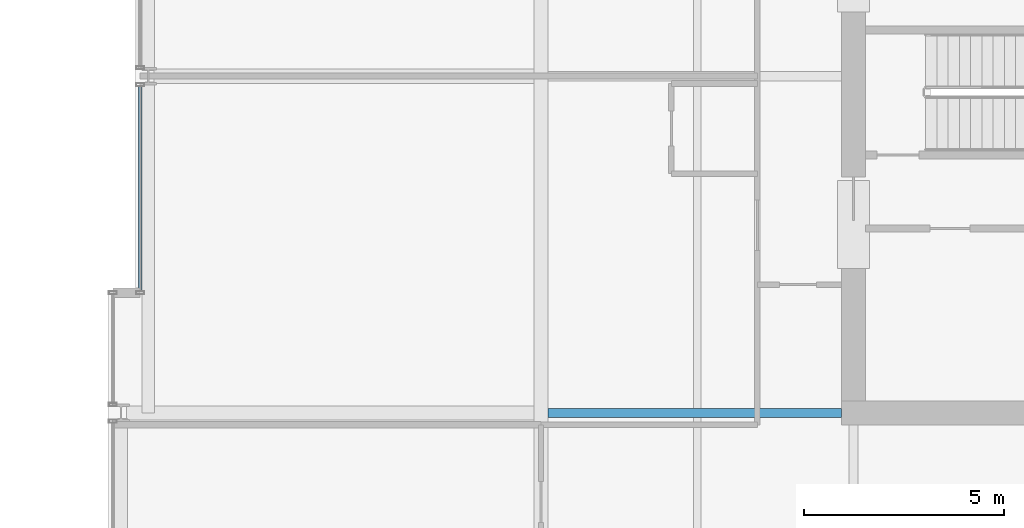
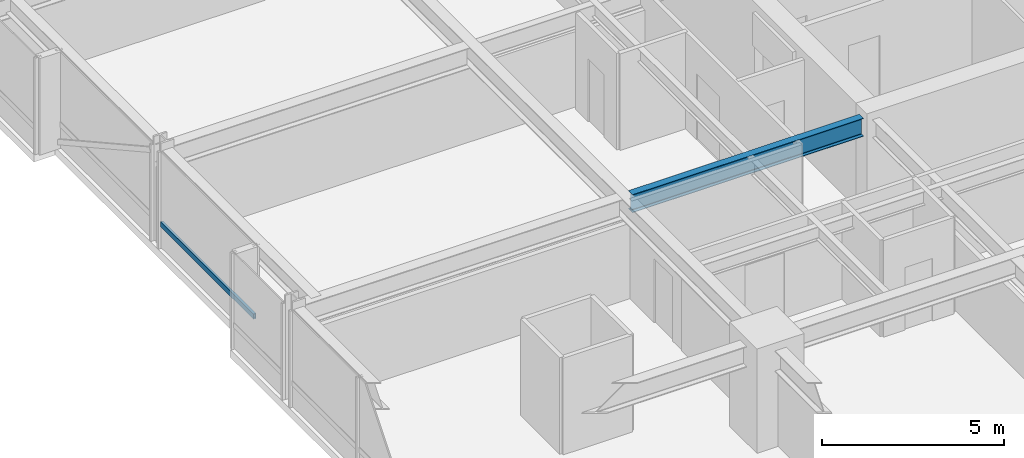
# One storey, part 8 of 35: 1 beam, 1 member, 1 element without a shape of its own.
"""IFC4 building model written with IfcOpenShell, lengths in metres."""

from ifc_helpers import new_model, si_unit, direction, frame, origin, origin_2d, place, context, subcontext, project, spatial, hollow_rectangle, i_section, extrude, material, layer, layer_set, material_profile, profile_set, type_object, element, aggregate, save


model = new_model("IFC4")

# Units and contexts
model_context = context("Model", 3, precision=1e-05, world=origin(), true_north=direction((0.0, 1.0)))
body_context = subcontext(model_context, "Body", "Model", "MODEL_VIEW")
ifc_project = project(units=[si_unit("LENGTHUNIT", "METRE"), si_unit("AREAUNIT", "SQUARE_METRE"), si_unit("VOLUMEUNIT", "CUBIC_METRE"), si_unit("PLANEANGLEUNIT", "RADIAN"), si_unit("MASSUNIT", "GRAM", prefix="KILO")], contexts=[model_context])

# Site, building, storey
site_placement = place(None, origin())
site = spatial("IfcSite", under=ifc_project, at=site_placement, CompositionType="ELEMENT")
building_placement = place(site_placement, origin())
building = spatial("IfcBuilding", under=site, at=building_placement, Name="Drelvath Grand Hotel", CompositionType="ELEMENT")
storey_placement = place(building_placement, frame((0.0, 0.0, 123.300048828125)))
storey = spatial("IfcBuildingStorey", under=building, at=storey_placement, Name="L31", CompositionType="ELEMENT", Elevation=123.300048828125)

# Curtain wall, member
ifc_material_1 = material(Name="Champagne Bronze Anodised Aluminium Frame", Category="aluminium")
ifc_layer = layer(ifc_material_1, 0.199951171875)
ifc_layer_set = layer_set([ifc_layer], Name="Champagne Bronze Anodised Aluminium Frame")
curtain_wall_type = type_object("IfcCurtainWallType", Name="Stick Curtain Wall CW-03 Champagne Bronze Mid-Rise", PredefinedType="NOTDEFINED", material=ifc_layer_set)
curtain_wall_placement = place(storey_placement, origin())
curtain_wall = element("IfcCurtainWall", 1, at=curtain_wall_placement, inside=storey, type_object=curtain_wall_type, Name="L31 CW-03 Curtain Wall CW03-L31-WM1", PredefinedType="NOTDEFINED")
ifc_material_profile_1 = material_profile(ifc_material_1, hollow_rectangle(XDim=0.074951171875, YDim=0.179931640625, WallThickness=0.0048828125, at=origin_2d()), Name="HSS180X75X5")
ifc_profile_set_1 = profile_set([ifc_material_profile_1], Name="Champagne Bronze Anodised Aluminium Frame")
member_type = type_object("IfcMemberType", Name="Curtain Wall Horizontal Transom CW-03 HSS180X75X5", PredefinedType="USERDEFINED", material=ifc_profile_set_1)
member_placement = place(storey_placement, frame((-26.199951171875, 21.639892578125, 0.81005859375), z_axis=(0.0, 1.0, 0.0), x_axis=(-1.0, 0.0, 0.0)))
member = element("IfcMember", 2, at=member_placement, type_object=member_type, Name="CW03-L31-WM1 Sill Transom", ObjectType="TRANSOM", PredefinedType="USERDEFINED", context=body_context, shape_type="SweptSolid", body=[
    extrude(hollow_rectangle(XDim=0.074951171875, YDim=0.179931640625, WallThickness=0.0048828125, at=origin_2d()), origin(), (0.0, 0.0, 1.0), 5.110595703125),
])
aggregate(curtain_wall, [member])

# Beam
ifc_material_2 = material(Name="Steel ASTM A992 Gr 50", Category="steel")
ifc_material_profile_2 = material_profile(ifc_material_2, i_section(OverallWidth=0.228271484375, OverallDepth=0.607666015625, WebThickness=0.01123046875, FlangeThickness=0.017333984375, FilletRadius=0.02001953125, at=origin_2d()), Name="W24X76")
ifc_profile_set_2 = profile_set([ifc_material_profile_2], Name="Steel ASTM A992 Gr 50")
beam_type = type_object("IfcBeamType", Name="Primary Floor Girder W24X76", PredefinedType="BEAM", material=ifc_profile_set_2)
beam_placement = place(storey_placement, frame((-16.022705078125, 18.60009765625, 2.93603515625), z_axis=(1.0, 0.0, 0.0), x_axis=(0.0, 1.0, 0.0)))
element("IfcBeam", 3, at=beam_placement, inside=storey, type_object=beam_type, Name="L31 West Core Tie D", PredefinedType="BEAM", context=body_context, shape_type="SweptSolid", body=[
    extrude(i_section(OverallWidth=0.228271484375, OverallDepth=0.607666015625, WebThickness=0.01123046875, FlangeThickness=0.017333984375, FilletRadius=0.02001953125, at=origin_2d()), origin(), (0.0, 0.0, 1.0), 7.32275390625),
])

save(model, "model.ifc")
